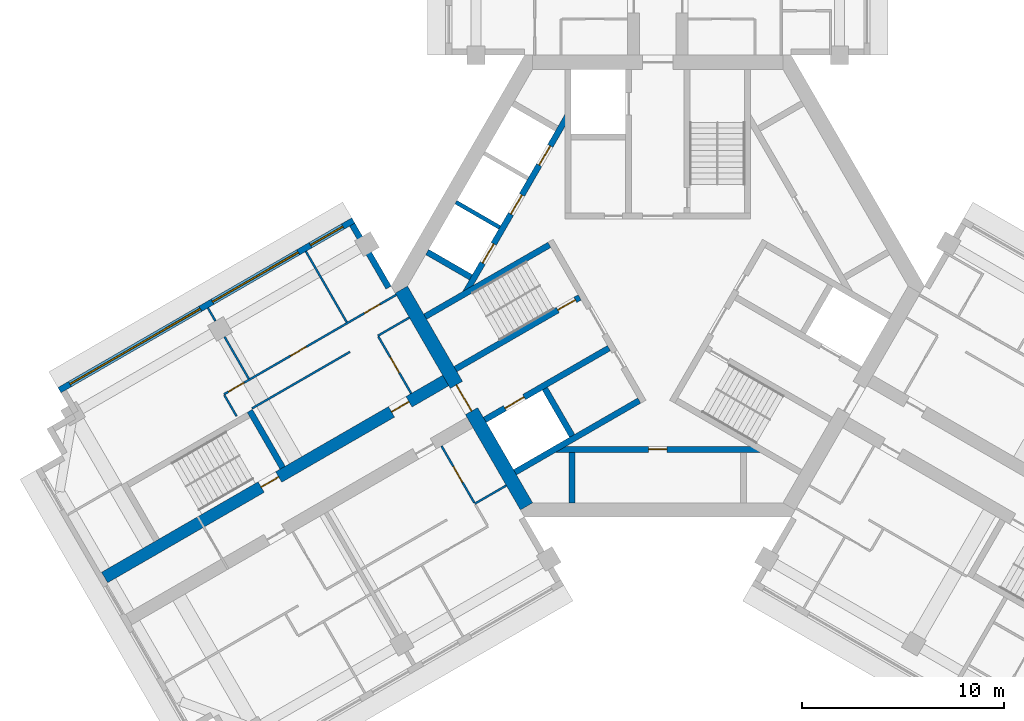
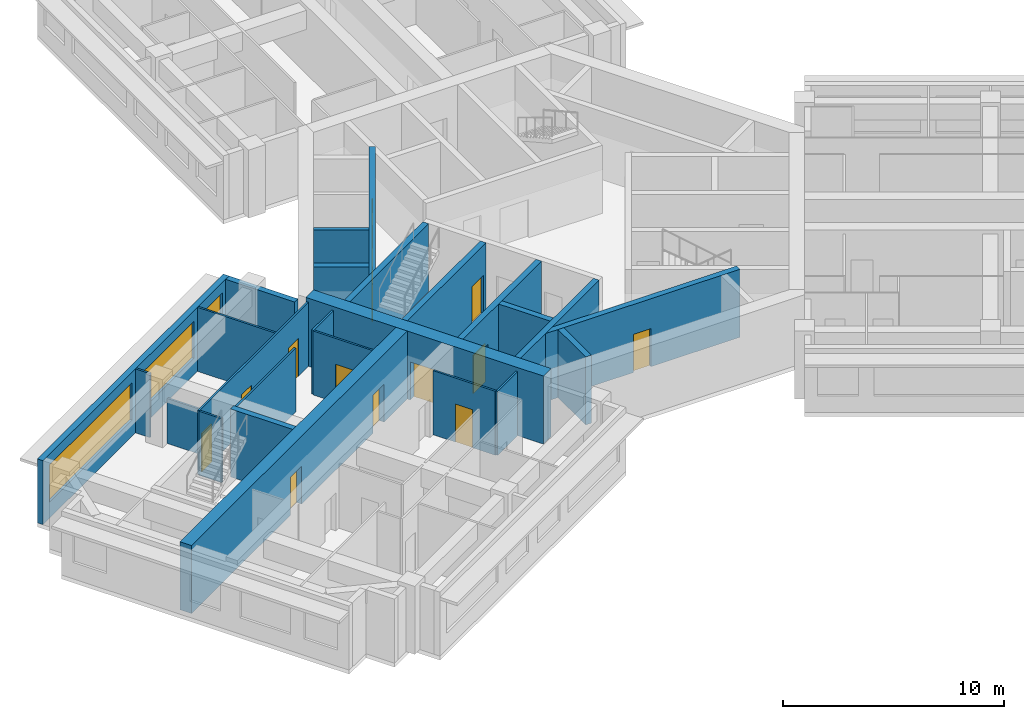
# One storey, part 3 of 10: 25 walls, 14 doors, 3 windows, 17 openings.
"""IFC4 building model written with IfcOpenShell, lengths in metres."""

from ifc_helpers import new_model, si_unit, direction, frame, frame_2d, origin, place, context, subcontext, project, spatial, rectangle, extrude, material, layer, layer_set, type_object, element, fill, save


model = new_model("IFC4")

# Units and contexts
model_context = context("Model", 3, precision=1e-05, world=origin(), true_north=direction((0.0, 1.0)))
body_context = subcontext(model_context, "Body", "Model", "MODEL_VIEW")
ifc_project = project(units=[si_unit("LENGTHUNIT", "METRE"), si_unit("AREAUNIT", "SQUARE_METRE"), si_unit("VOLUMEUNIT", "CUBIC_METRE"), si_unit("PLANEANGLEUNIT", "RADIAN"), si_unit("MASSUNIT", "GRAM", prefix="KILO")], contexts=[model_context])

# Site, building, storey
site_placement = place(None, origin())
site = spatial("IfcSite", under=ifc_project, at=site_placement, CompositionType="ELEMENT")
building_placement = place(site_placement, origin())
building = spatial("IfcBuilding", under=site, at=building_placement, Name="Impinga Residences", CompositionType="ELEMENT")
storey_placement = place(building_placement, frame((0.0, 0.0, 237.25)))
storey = spatial("IfcBuildingStorey", under=building, at=storey_placement, Name="L59", CompositionType="ELEMENT", Elevation=237.25)

# Wall, openings, doors
ifc_material_1 = material(Name="Concrete C60/75", Category="concrete")
ifc_layer_1 = layer(ifc_material_1, 0.60009765625)
ifc_layer_set_1 = layer_set([ifc_layer_1], Name="Concrete C60/75")
wall_type_1 = type_object("IfcWallType", Name="BW3 corridor buttress wall, L46 to L73 600", PredefinedType="SHEAR", material=ifc_layer_set_1)
wall_1_placement = place(storey_placement, frame((-10.19677734375, -4.50146484375, 0.0), z_axis=(0.0, 0.0, 1.0), x_axis=(-0.866025214745, -0.500000327426, 0.0)))
wall_1 = element("IfcWall", 1, at=wall_1_placement, inside=storey, type_object=wall_type_1, Name="Corridor wall BW3 WD L59", PredefinedType="SHEAR", context=body_context, shape_type="SweptSolid", body=[
    extrude(rectangle(XDim=19.85009765625, YDim=0.60009765625, at=frame_2d((9.925048828125, 0.0))), origin(), (0.0, 0.0, 1.0), 3.75),
])
opening_1_placement = place(wall_1_placement, frame((9.89990234375, 0.0, 0.0)))
opening_1 = element("IfcOpeningElement", 2, at=opening_1_placement, cuts=wall_1, Name="Opening D5", PredefinedType="OPENING", context=body_context, shape_type="SweptSolid", body=[
    extrude(rectangle(XDim=1.0, YDim=2.10009765625, at=frame_2d((0.5, 1.050048828125))), frame((0.0, 0.31005859375, 0.0), z_axis=(0.0, -1.0, 0.0), x_axis=(1.0, 0.0, 0.0)), (0.0, 0.0, 1.0), 0.6201171875),
])
opening_2_placement = place(wall_1_placement, frame((2.449951171875, 0.0, 0.0)))
opening_2 = element("IfcOpeningElement", 3, at=opening_2_placement, cuts=wall_1, Name="Opening D1", PredefinedType="OPENING", context=body_context, shape_type="SweptSolid", body=[
    extrude(rectangle(XDim=1.0, YDim=2.10009765625, at=frame_2d((0.5, 1.050048828125))), frame((0.0, 0.31005859375, 0.0), z_axis=(0.0, -1.0, 0.0), x_axis=(1.0, 0.0, 0.0)), (0.0, 0.0, 1.0), 0.6201171875),
])
ifc_material_2 = material(Name="Timber door set", Category="wood")
door_type_1 = type_object("IfcDoorType", Name="D1 apartment entrance door 1000x2100", OperationType="SINGLE_SWING_LEFT", PredefinedType="DOOR", material=ifc_material_2)
door_1_placement = place(opening_2_placement, origin())
door_1 = element("IfcDoor", 4, at=door_1_placement, inside=storey, type_object=door_type_1, Name="Apartment L59-WF1 entrance", OperationType="SINGLE_SWING_LEFT", OverallHeight=2.10009765625, OverallWidth=1.0, PredefinedType="DOOR", context=body_context, shape_type="SweptSolid", body=[
    extrude(rectangle(XDim=1.0, YDim=2.10009765625, at=frame_2d((0.5, 1.050048828125))), frame((0.0, 0.02490234375, 0.0), z_axis=(0.0, -1.0, 0.0), x_axis=(1.0, 0.0, 0.0)), (0.0, 0.0, 1.0), 0.050048828125),
])
fill(opening_2, door_1)
door_type_2 = type_object("IfcDoorType", Name="D5 stair door 1000x2100", OperationType="SINGLE_SWING_LEFT", PredefinedType="DOOR", material=ifc_material_2)
door_2_placement = place(opening_1_placement, origin())
door_2 = element("IfcDoor", 5, at=door_2_placement, inside=storey, type_object=door_type_2, Name="Wing stair door W", OperationType="SINGLE_SWING_RIGHT", OverallHeight=2.10009765625, OverallWidth=1.0, PredefinedType="DOOR", context=body_context, shape_type="SweptSolid", body=[
    extrude(rectangle(XDim=1.0, YDim=2.10009765625, at=frame_2d((0.5, 1.050048828125))), frame((0.0, 0.02490234375, 0.0), z_axis=(0.0, -1.0, 0.0), x_axis=(1.0, 0.0, 0.0)), (0.0, 0.0, 1.0), 0.050048828125),
])
fill(opening_1, door_2)

# Wall, openings, windows
ifc_material_3 = material(Name="Terracotta rainscreen on blockwork", Category="masonry")
ifc_layer_2 = layer(ifc_material_3, 0.300048828125)
ifc_layer_set_2 = layer_set([ifc_layer_2], Name="EW1 external wall, terracotta rainscreen on blockwork 300")
wall_type_2 = type_object("IfcWallType", Name="EW1 external wall, terracotta rainscreen on blockwork 300", PredefinedType="SOLIDWALL", material=ifc_layer_set_2)
wall_2_placement = place(storey_placement, frame((-29.624267578125, -5.15234375, 0.0), z_axis=(0.0, 0.0, 1.0), x_axis=(0.86602925447, 0.499993330357, 0.0)))
wall_2 = element("IfcWall", 6, at=wall_2_placement, inside=storey, type_object=wall_type_2, Name="External wall EW1 L59", PredefinedType="SOLIDWALL", context=body_context, shape_type="SweptSolid", body=[
    extrude(rectangle(XDim=16.800048828125, YDim=0.300048828125, at=frame_2d((8.39990234375, 0.0))), origin(), (0.0, 0.0, 1.0), 3.530029296875),
])
opening_3_placement = place(wall_2_placement, frame((0.60009765625, 0.0, 0.89990234375)))
opening_3 = element("IfcOpeningElement", 7, at=opening_3_placement, cuts=wall_2, Name="Opening W7", PredefinedType="OPENING", context=body_context, shape_type="SweptSolid", body=[
    extrude(rectangle(XDim=7.449951171875, YDim=2.050048828125, at=frame_2d((3.72509765625, 1.02490234375))), frame((0.0, 0.159912109375, 0.0), z_axis=(0.0, -1.0, 0.0), x_axis=(1.0, 0.0, 0.0)), (0.0, 0.0, 1.0), 0.320068359375),
])
opening_4_placement = place(wall_2_placement, frame((8.75, 0.0, 0.89990234375)))
opening_4 = element("IfcOpeningElement", 8, at=opening_4_placement, cuts=wall_2, Name="Opening W16", PredefinedType="OPENING", context=body_context, shape_type="SweptSolid", body=[
    extrude(rectangle(XDim=4.89990234375, YDim=2.050048828125, at=frame_2d((2.449951171875, 1.02490234375))), frame((0.0, 0.159912109375, 0.0), z_axis=(0.0, -1.0, 0.0), x_axis=(1.0, 0.0, 0.0)), (0.0, 0.0, 1.0), 0.320068359375),
])
opening_5_placement = place(wall_2_placement, frame((14.35009765625, 0.0, 0.89990234375)))
opening_5 = element("IfcOpeningElement", 9, at=opening_5_placement, cuts=wall_2, Name="Opening W15", PredefinedType="OPENING", context=body_context, shape_type="SweptSolid", body=[
    extrude(rectangle(XDim=1.85009765625, YDim=2.050048828125, at=frame_2d((0.925048828125, 1.02490234375))), frame((0.0, 0.159912109375, 0.0), z_axis=(0.0, -1.0, 0.0), x_axis=(1.0, 0.0, 0.0)), (0.0, 0.0, 1.0), 0.320068359375),
])
ifc_material_4 = material(Name="Aluminium window, clear double glazing", Category="aluminium")
window_type_1 = type_object("IfcWindowType", Name="W15 ribbon window 1850x2050", PartitioningType="SINGLE_PANEL", PredefinedType="WINDOW", material=ifc_material_4)
window_1_placement = place(opening_5_placement, origin())
window_1 = element("IfcWindow", 10, at=window_1_placement, inside=storey, type_object=window_type_1, Name="Window L59", OverallHeight=2.050048828125, OverallWidth=1.85009765625, PartitioningType="SINGLE_PANEL", PredefinedType="WINDOW", context=body_context, shape_type="SweptSolid", body=[
    extrude(rectangle(XDim=1.85009765625, YDim=2.050048828125, at=frame_2d((0.925048828125, 1.02490234375))), frame((0.0, 0.030029296875, 0.0), z_axis=(0.0, -1.0, 0.0), x_axis=(1.0, 0.0, 0.0)), (0.0, 0.0, 1.0), 0.06005859375),
])
fill(opening_5, window_1)
window_type_2 = type_object("IfcWindowType", Name="W16 ribbon window 4900x2050", PartitioningType="SINGLE_PANEL", PredefinedType="WINDOW", material=ifc_material_4)
window_2_placement = place(opening_4_placement, origin())
window_2 = element("IfcWindow", 11, at=window_2_placement, inside=storey, type_object=window_type_2, Name="Window L59", OverallHeight=2.050048828125, OverallWidth=4.89990234375, PartitioningType="SINGLE_PANEL", PredefinedType="WINDOW", context=body_context, shape_type="SweptSolid", body=[
    extrude(rectangle(XDim=4.89990234375, YDim=2.050048828125, at=frame_2d((2.449951171875, 1.02490234375))), frame((0.0, 0.030029296875, 0.0), z_axis=(0.0, -1.0, 0.0), x_axis=(1.0, 0.0, 0.0)), (0.0, 0.0, 1.0), 0.06005859375),
])
fill(opening_4, window_2)
window_type_3 = type_object("IfcWindowType", Name="W7 ribbon window 7450x2050", PartitioningType="SINGLE_PANEL", PredefinedType="WINDOW", material=ifc_material_4)
window_3_placement = place(opening_3_placement, origin())
window_3 = element("IfcWindow", 12, at=window_3_placement, inside=storey, type_object=window_type_3, Name="Window L59", OverallHeight=2.050048828125, OverallWidth=7.449951171875, PartitioningType="SINGLE_PANEL", PredefinedType="WINDOW", context=body_context, shape_type="SweptSolid", body=[
    extrude(rectangle(XDim=7.449951171875, YDim=2.050048828125, at=frame_2d((3.72509765625, 1.02490234375))), frame((0.0, 0.030029296875, 0.0), z_axis=(0.0, -1.0, 0.0), x_axis=(1.0, 0.0, 0.0)), (0.0, 0.0, 1.0), 0.06005859375),
])
fill(opening_3, window_3)

# Walls
wall_3_placement = place(storey_placement, frame((-15.1298828125, 3.042724609375, 0.0), z_axis=(0.0, 0.0, 1.0), x_axis=(0.500012057535, -0.866018442252, 0.0)))
element("IfcWall", 13, at=wall_3_placement, inside=storey, type_object=wall_type_2, Name="External wall EW1 L59", PredefinedType="SOLIDWALL", context=body_context, shape_type="SweptSolid", body=[
    extrude(rectangle(XDim=3.60009765625, YDim=0.300048828125, at=frame_2d((1.800048828125, 0.0))), origin(), (0.0, 0.0, 1.0), 3.530029296875),
])
ifc_material_5 = material(Name="Gypsum board on steel studs", Category="steel")
ifc_layer_3 = layer(ifc_material_5, 0.10009765625)
ifc_layer_set_3 = layer_set([ifc_layer_3], Name="Gypsum board on steel studs")
wall_type_3 = type_object("IfcWallType", Name="IP1 partition 100", PredefinedType="PARTITIONING", material=ifc_layer_set_3)
wall_4_placement = place(storey_placement, frame((-7.5, -9.872802734375, 0.0), z_axis=(0.0, 0.0, 1.0), x_axis=(-0.866047807691, -0.499961193289, 0.0)))
element("IfcWall", 14, at=wall_4_placement, inside=storey, type_object=wall_type_3, Name="Partition L59-WA1:DIV0", PredefinedType="PARTITIONING", context=body_context, shape_type="SweptSolid", body=[
    extrude(rectangle(XDim=1.800048828125, YDim=0.10009765625, at=frame_2d((0.89990234375, 0.0))), origin(), (0.0, 0.0, 1.0), 3.530029296875),
])

# Wall, opening, door
wall_5_placement = place(storey_placement, frame((-10.708740234375, -7.914794921875, 0.0), z_axis=(0.0, 0.0, 1.0), x_axis=(0.499984717929, -0.866034226713, 0.0)))
wall_5 = element("IfcWall", 15, at=wall_5_placement, inside=storey, type_object=wall_type_3, Name="Partition L59-WA1:IB1", PredefinedType="PARTITIONING", context=body_context, shape_type="SweptSolid", body=[
    extrude(rectangle(XDim=3.25, YDim=0.10009765625, at=frame_2d((1.625, 0.0))), origin(), (0.0, 0.0, 1.0), 3.530029296875),
])
opening_6_placement = place(wall_5_placement, frame((1.175048828125, 0.0, 0.0)))
opening_6 = element("IfcOpeningElement", 16, at=opening_6_placement, cuts=wall_5, Name="Opening D2", PredefinedType="OPENING", context=body_context, shape_type="SweptSolid", body=[
    extrude(rectangle(XDim=0.89990234375, YDim=2.10009765625, at=frame_2d((0.449951171875, 1.050048828125))), frame((0.0, 0.06005859375, 0.0), z_axis=(0.0, -1.0, 0.0), x_axis=(1.0, 0.0, 0.0)), (0.0, 0.0, 1.0), 0.1201171875),
])
door_type_3 = type_object("IfcDoorType", Name="D2 internal door 900x2100", OperationType="SINGLE_SWING_LEFT", PredefinedType="DOOR", material=ifc_material_2)
door_3_placement = place(opening_6_placement, origin())
door_3 = element("IfcDoor", 17, at=door_3_placement, inside=storey, type_object=door_type_3, Name="Apartment L59-WA1 bathroom door", OperationType="SINGLE_SWING_LEFT", OverallHeight=2.10009765625, OverallWidth=0.89990234375, PredefinedType="DOOR", context=body_context, shape_type="SweptSolid", body=[
    extrude(rectangle(XDim=0.89990234375, YDim=2.10009765625, at=frame_2d((0.449951171875, 1.050048828125))), frame((0.0, 0.02490234375, 0.0), z_axis=(0.0, -1.0, 0.0), x_axis=(1.0, 0.0, 0.0)), (0.0, 0.0, 1.0), 0.050048828125),
])
fill(opening_6, door_3)

# Walls
wall_6_placement = place(storey_placement, frame((-12.300048828125, -1.558837890625, 0.0), z_axis=(0.0, 0.0, 1.0), x_axis=(-0.866047807691, -0.499961193289, 0.0)))
element("IfcWall", 18, at=wall_6_placement, inside=storey, type_object=wall_type_3, Name="Partition L59-WF1:DIV0", PredefinedType="PARTITIONING", context=body_context, shape_type="SweptSolid", body=[
    extrude(rectangle(XDim=1.800048828125, YDim=0.10009765625, at=frame_2d((0.89990234375, 0.0))), origin(), (0.0, 0.0, 1.0), 3.530029296875),
])
wall_7_placement = place(storey_placement, frame((-15.244384765625, -3.2587890625, 0.0), z_axis=(0.0, 0.0, 1.0), x_axis=(-0.866026594901, -0.49999793692, 0.0)))
element("IfcWall", 19, at=wall_7_placement, inside=storey, type_object=wall_type_3, Name="Partition L59-WF1:DIV1", PredefinedType="PARTITIONING", context=body_context, shape_type="SweptSolid", body=[
    extrude(rectangle(XDim=5.60009765625, YDim=0.10009765625, at=frame_2d((2.800048828125, 0.0))), origin(), (0.0, 0.0, 1.0), 3.530029296875),
])

# Wall, openings, doors
wall_8_placement = place(storey_placement, frame((-12.949951171875, -0.43310546875, 0.0), z_axis=(0.0, 0.0, 1.0), x_axis=(-0.866038236991, -0.499977771575, 0.0)))
wall_8 = element("IfcWall", 20, at=wall_8_placement, inside=storey, type_object=wall_type_3, Name="Partition L59-WF1:STRIP", PredefinedType="PARTITIONING", context=body_context, shape_type="SweptSolid", body=[
    extrude(rectangle(XDim=9.85009765625, YDim=0.10009765625, at=frame_2d((4.925048828125, 0.0))), origin(), (0.0, 0.0, 1.0), 3.530029296875),
])
opening_7_placement = place(wall_8_placement, frame((0.925048828125, 0.0, 0.0)))
opening_7 = element("IfcOpeningElement", 21, at=opening_7_placement, cuts=wall_8, Name="Opening D2", PredefinedType="OPENING", context=body_context, shape_type="SweptSolid", body=[
    extrude(rectangle(XDim=0.89990234375, YDim=2.10009765625, at=frame_2d((0.449951171875, 1.050048828125))), frame((0.0, 0.06005859375, 0.0), z_axis=(0.0, -1.0, 0.0), x_axis=(1.0, 0.0, 0.0)), (0.0, 0.0, 1.0), 0.1201171875),
])
opening_8_placement = place(wall_8_placement, frame((5.14990234375, 0.0, 0.0)))
opening_8 = element("IfcOpeningElement", 22, at=opening_8_placement, cuts=wall_8, Name="Opening D2", PredefinedType="OPENING", context=body_context, shape_type="SweptSolid", body=[
    extrude(rectangle(XDim=0.89990234375, YDim=2.10009765625, at=frame_2d((0.449951171875, 1.050048828125))), frame((0.0, 0.06005859375, 0.0), z_axis=(0.0, -1.0, 0.0), x_axis=(1.0, 0.0, 0.0)), (0.0, 0.0, 1.0), 0.1201171875),
])
opening_9_placement = place(wall_8_placement, frame((8.699951171875, 0.0, 0.0)))
opening_9 = element("IfcOpeningElement", 23, at=opening_9_placement, cuts=wall_8, Name="Opening D2", PredefinedType="OPENING", context=body_context, shape_type="SweptSolid", body=[
    extrude(rectangle(XDim=0.89990234375, YDim=2.10009765625, at=frame_2d((0.449951171875, 1.050048828125))), frame((0.0, 0.06005859375, 0.0), z_axis=(0.0, -1.0, 0.0), x_axis=(1.0, 0.0, 0.0)), (0.0, 0.0, 1.0), 0.1201171875),
])
door_4_placement = place(opening_7_placement, origin())
door_4 = element("IfcDoor", 24, at=door_4_placement, inside=storey, type_object=door_type_3, Name="Apartment L59-WF1 room door", OperationType="SINGLE_SWING_LEFT", OverallHeight=2.10009765625, OverallWidth=0.89990234375, PredefinedType="DOOR", context=body_context, shape_type="SweptSolid", body=[
    extrude(rectangle(XDim=0.89990234375, YDim=2.10009765625, at=frame_2d((0.449951171875, 1.050048828125))), frame((0.0, 0.02490234375, 0.0), z_axis=(0.0, -1.0, 0.0), x_axis=(1.0, 0.0, 0.0)), (0.0, 0.0, 1.0), 0.050048828125),
])
fill(opening_7, door_4)
door_5_placement = place(opening_8_placement, origin())
door_5 = element("IfcDoor", 25, at=door_5_placement, inside=storey, type_object=door_type_3, Name="Apartment L59-WF1 room door", OperationType="SINGLE_SWING_RIGHT", OverallHeight=2.10009765625, OverallWidth=0.89990234375, PredefinedType="DOOR", context=body_context, shape_type="SweptSolid", body=[
    extrude(rectangle(XDim=0.89990234375, YDim=2.10009765625, at=frame_2d((0.449951171875, 1.050048828125))), frame((0.0, 0.02490234375, 0.0), z_axis=(0.0, -1.0, 0.0), x_axis=(1.0, 0.0, 0.0)), (0.0, 0.0, 1.0), 0.050048828125),
])
fill(opening_8, door_5)
door_6_placement = place(opening_9_placement, origin())
door_6 = element("IfcDoor", 26, at=door_6_placement, inside=storey, type_object=door_type_3, Name="Apartment L59-WF1 room door", OperationType="SINGLE_SWING_RIGHT", OverallHeight=2.10009765625, OverallWidth=0.89990234375, PredefinedType="DOOR", context=body_context, shape_type="SweptSolid", body=[
    extrude(rectangle(XDim=0.89990234375, YDim=2.10009765625, at=frame_2d((0.449951171875, 1.050048828125))), frame((0.0, 0.02490234375, 0.0), z_axis=(0.0, -1.0, 0.0), x_axis=(1.0, 0.0, 0.0)), (0.0, 0.0, 1.0), 0.050048828125),
])
fill(opening_9, door_6)

# Wall
wall_9_placement = place(storey_placement, frame((-20.85546875, -6.4404296875, 0.0), z_axis=(0.0, 0.0, 1.0), x_axis=(-0.499969057507, 0.866043267704, 0.0)))
element("IfcWall", 27, at=wall_9_placement, inside=storey, type_object=wall_type_3, Name="Partition L59-WF1:SE1", PredefinedType="PARTITIONING", context=body_context, shape_type="SweptSolid", body=[
    extrude(rectangle(XDim=1.19970703125, YDim=0.10009765625, at=frame_2d((0.599853515625, 0.0))), origin(), (0.0, 0.0, 1.0), 3.530029296875),
])

# Wall, opening, door
wall_10_placement = place(storey_placement, frame((-12.208740234375, -5.316650390625, 0.0), z_axis=(0.0, 0.0, 1.0), x_axis=(-0.500017246033, 0.866015446554, 0.0)))
wall_10 = element("IfcWall", 28, at=wall_10_placement, inside=storey, type_object=wall_type_3, Name="Partition L59-WF1:IB1", PredefinedType="PARTITIONING", context=body_context, shape_type="SweptSolid", body=[
    extrude(rectangle(XDim=3.25, YDim=0.10009765625, at=frame_2d((1.625, 0.0))), origin(), (0.0, 0.0, 1.0), 3.530029296875),
])
opening_10_placement = place(wall_10_placement, frame((1.175048828125, 0.0, 0.0)))
opening_10 = element("IfcOpeningElement", 29, at=opening_10_placement, cuts=wall_10, Name="Opening D2", PredefinedType="OPENING", context=body_context, shape_type="SweptSolid", body=[
    extrude(rectangle(XDim=0.89990234375, YDim=2.10009765625, at=frame_2d((0.449951171875, 1.050048828125))), frame((0.0, 0.06005859375, 0.0), z_axis=(0.0, -1.0, 0.0), x_axis=(1.0, 0.0, 0.0)), (0.0, 0.0, 1.0), 0.1201171875),
])
door_7_placement = place(opening_10_placement, origin())
door_7 = element("IfcDoor", 30, at=door_7_placement, inside=storey, type_object=door_type_3, Name="Apartment L59-WF1 bathroom door", OperationType="SINGLE_SWING_LEFT", OverallHeight=2.10009765625, OverallWidth=0.89990234375, PredefinedType="DOOR", context=body_context, shape_type="SweptSolid", body=[
    extrude(rectangle(XDim=0.89990234375, YDim=2.10009765625, at=frame_2d((0.449951171875, 1.050048828125))), frame((0.0, 0.02490234375, 0.0), z_axis=(0.0, -1.0, 0.0), x_axis=(1.0, 0.0, 0.0)), (0.0, 0.0, 1.0), 0.050048828125),
])
fill(opening_10, door_7)

# Walls
wall_11_placement = place(storey_placement, frame((-15.39990234375, -1.789794921875, 0.0), z_axis=(0.0, 0.0, 1.0), x_axis=(-0.499964223975, 0.866046058097, 0.0)))
element("IfcWall", 31, at=wall_11_placement, inside=storey, type_object=wall_type_3, Name="Partition L59-WF1:OB1", PredefinedType="PARTITIONING", context=body_context, shape_type="SweptSolid", body=[
    extrude(rectangle(XDim=4.050048828125, YDim=0.10009765625, at=frame_2d((2.02490234375, 0.0))), origin(), (0.0, 0.0, 1.0), 3.530029296875),
])
wall_12_placement = place(storey_placement, frame((-20.24951171875, -4.589599609375, 0.0), z_axis=(0.0, 0.0, 1.0), x_axis=(-0.500077600433, 0.865980596518, 0.0)))
element("IfcWall", 32, at=wall_12_placement, inside=storey, type_object=wall_type_3, Name="Partition L59-WF1:OB2", PredefinedType="PARTITIONING", context=body_context, shape_type="SweptSolid", body=[
    extrude(rectangle(XDim=2.39990234375, YDim=0.10009765625, at=frame_2d((1.199951171875, 0.0))), origin(), (0.0, 0.0, 1.0), 2.47998046875),
])
wall_13_placement = place(storey_placement, frame((-21.899658203125, -1.73193359375, 0.0), z_axis=(0.0, 0.0, 1.0), x_axis=(-0.499919672301, 0.866071776036, 0.0)))
element("IfcWall", 33, at=wall_13_placement, inside=storey, type_object=wall_type_3, Name="Partition L59-WF1:OB2b", PredefinedType="PARTITIONING", context=body_context, shape_type="SweptSolid", body=[
    extrude(rectangle(XDim=0.75, YDim=0.10009765625, at=frame_2d((0.375, 0.0))), origin(), (0.0, 0.0, 1.0), 3.530029296875),
])
ifc_layer_4 = layer(ifc_material_1, 0.300048828125)
ifc_layer_set_4 = layer_set([ifc_layer_4], Name="Concrete C60/75")
wall_type_4 = type_object("IfcWallType", Name="SE1 wing stair enclosure wall 300", PredefinedType="SOLIDWALL", material=ifc_layer_set_4)
wall_14_placement = place(storey_placement, frame((-18.57421875, -8.99169921875, 0.0), z_axis=(0.0, 0.0, 1.0), x_axis=(-0.500017246033, 0.866015446554, 0.0)))
element("IfcWall", 34, at=wall_14_placement, inside=storey, type_object=wall_type_4, Name="Stair enclosure wall SE1 W END0 L59", PredefinedType="SOLIDWALL", context=body_context, shape_type="SweptSolid", body=[
    extrude(rectangle(XDim=3.25, YDim=0.300048828125, at=frame_2d((1.625, 0.0))), origin(), (0.0, 0.0, 1.0), 3.75),
])

# Wall, opening, door
ifc_layer_5 = layer(ifc_material_1, 0.699951171875)
ifc_layer_set_5 = layer_set([ifc_layer_5], Name="Concrete C60/75")
wall_type_5 = type_object("IfcWallType", Name="SW3 core wall 700", PredefinedType="SHEAR", material=ifc_layer_set_5)
wall_15_placement = place(storey_placement, frame((-6.4990234375, -10.906494140625, 0.0), z_axis=(0.0, 0.0, 1.0), x_axis=(-0.499999875397, 0.866025475724, 0.0)))
wall_15 = element("IfcWall", 35, at=wall_15_placement, inside=storey, type_object=wall_type_5, Name="Core wall SW3 W:FACE L59", PredefinedType="SHEAR", context=body_context, shape_type="SweptSolid", body=[
    extrude(rectangle(XDim=12.3916015625, YDim=0.699951171875, at=frame_2d((6.19580078125, 0.0))), origin(), (0.0, 0.0, 1.0), 3.75),
])
opening_11_placement = place(wall_15_placement, frame((5.44580078125, 0.0, 0.0)))
opening_11 = element("IfcOpeningElement", 36, at=opening_11_placement, cuts=wall_15, Name="Opening D4", PredefinedType="OPENING", context=body_context, shape_type="SweptSolid", body=[
    extrude(rectangle(XDim=1.5, YDim=2.10009765625, at=frame_2d((0.75, 1.050048828125))), frame((0.0, 0.35986328125, 0.0), z_axis=(0.0, -1.0, 0.0), x_axis=(1.0, 0.0, 0.0)), (0.0, 0.0, 1.0), 0.719970703125),
])
door_type_4 = type_object("IfcDoorType", Name="D4 lobby door pair 1500x2100", OperationType="DOUBLE_DOOR_DOUBLE_SWING", PredefinedType="DOOR", material=ifc_material_2)
door_8_placement = place(opening_11_placement, origin())
door_8 = element("IfcDoor", 37, at=door_8_placement, inside=storey, type_object=door_type_4, Name="Lobby door W", OperationType="DOUBLE_DOOR_DOUBLE_SWING", OverallHeight=2.10009765625, OverallWidth=1.5, PredefinedType="DOOR", context=body_context, shape_type="SweptSolid", body=[
    extrude(rectangle(XDim=1.5, YDim=2.10009765625, at=frame_2d((0.75, 1.050048828125))), frame((0.0, 0.02490234375, 0.0), z_axis=(0.0, -1.0, 0.0), x_axis=(1.0, 0.0, 0.0)), (0.0, 0.0, 1.0), 0.050048828125),
])
fill(opening_11, door_8)

ifc_material_6 = material(Name="Concrete C70/85", Category="concrete")
ifc_layer_6 = layer(ifc_material_6, 0.300048828125)
ifc_layer_set_6 = layer_set([ifc_layer_6], Name="Concrete C70/85")
wall_type_6 = type_object("IfcWallType", Name="SW5 core inner wall, stairs, shafts and lobbies 300", PredefinedType="SHEAR", material=ifc_layer_set_6)
wall_16_placement = place(storey_placement, frame((-3.86865234375, -0.559326171875, 0.0), z_axis=(0.0, 0.0, 1.0), x_axis=(-0.866025859768, -0.499999210213, 0.0)))
wall_16 = element("IfcWall", 38, at=wall_16_placement, inside=storey, type_object=wall_type_6, Name="Core wall SW5 W:ST-IN L59", PredefinedType="SHEAR", context=body_context, shape_type="SweptSolid", body=[
    extrude(rectangle(XDim=7.1015625, YDim=0.300048828125, at=frame_2d((3.55078125, 0.0))), origin(), (0.0, 0.0, 1.0), 3.75),
])
opening_12_placement = place(wall_16_placement, frame((0.25, 0.0, 0.0)))
opening_12 = element("IfcOpeningElement", 39, at=opening_12_placement, cuts=wall_16, Name="Opening D5", PredefinedType="OPENING", context=body_context, shape_type="SweptSolid", body=[
    extrude(rectangle(XDim=1.0, YDim=2.10009765625, at=frame_2d((0.5, 1.050048828125))), frame((0.0, 0.159912109375, 0.0), z_axis=(0.0, -1.0, 0.0), x_axis=(1.0, 0.0, 0.0)), (0.0, 0.0, 1.0), 0.320068359375),
])
door_9_placement = place(opening_12_placement, origin())
door_9 = element("IfcDoor", 40, at=door_9_placement, inside=storey, type_object=door_type_2, Name="Stair door W", OperationType="SINGLE_SWING_LEFT", OverallHeight=2.10009765625, OverallWidth=1.0, PredefinedType="DOOR", context=body_context, shape_type="SweptSolid", body=[
    extrude(rectangle(XDim=1.0, YDim=2.10009765625, at=frame_2d((0.5, 1.050048828125))), frame((0.0, 0.02490234375, 0.0), z_axis=(0.0, -1.0, 0.0), x_axis=(1.0, 0.0, 0.0)), (0.0, 0.0, 1.0), 0.050048828125),
])
fill(opening_12, door_9)

# Wall
wall_17_placement = place(storey_placement, frame((-5.36865234375, 2.038818359375, 0.0), z_axis=(0.0, 0.0, 1.0), x_axis=(-0.866025859768, -0.499999210213, 0.0)))
element("IfcWall", 41, at=wall_17_placement, inside=storey, type_object=wall_type_6, Name="Core wall SW5 W:ST-OUT L59", PredefinedType="SHEAR", context=body_context, shape_type="SweptSolid", body=[
    extrude(rectangle(XDim=7.1015625, YDim=0.300048828125, at=frame_2d((3.55078125, 0.0))), origin(), (0.0, 0.0, 1.0), 3.75),
])

# Wall, opening, door
wall_18_placement = place(storey_placement, frame((-2.418701171875, -3.07080078125, 0.0), z_axis=(0.0, 0.0, 1.0), x_axis=(-0.866025859768, -0.499999210213, 0.0)))
wall_18 = element("IfcWall", 42, at=wall_18_placement, inside=storey, type_object=wall_type_6, Name="Core wall SW5 W:FF-IN L59", PredefinedType="SHEAR", context=body_context, shape_type="SweptSolid", body=[
    extrude(rectangle(XDim=7.1015625, YDim=0.300048828125, at=frame_2d((3.55078125, 0.0))), origin(), (0.0, 0.0, 1.0), 3.75),
])
opening_13_placement = place(wall_18_placement, frame((4.85009765625, 0.0, 0.0)))
opening_13 = element("IfcOpeningElement", 43, at=opening_13_placement, cuts=wall_18, Name="Opening LD2", PredefinedType="OPENING", context=body_context, shape_type="SweptSolid", body=[
    extrude(rectangle(XDim=1.10009765625, YDim=2.10009765625, at=frame_2d((0.550048828125, 1.050048828125))), frame((0.0, 0.159912109375, 0.0), z_axis=(0.0, -1.0, 0.0), x_axis=(1.0, 0.0, 0.0)), (0.0, 0.0, 1.0), 0.320068359375),
])
ifc_material_7 = material(Name="Steel lift landing door", Category="steel")
door_type_5 = type_object("IfcDoorType", Name="LD2 firefighting lift landing door 1100x2100", OperationType="DOUBLE_DOOR_SLIDING", PredefinedType="DOOR", material=ifc_material_7)
door_10_placement = place(opening_13_placement, origin())
door_10 = element("IfcDoor", 44, at=door_10_placement, inside=storey, type_object=door_type_5, Name="Firefighting lift landing door F2", OperationType="DOUBLE_DOOR_SLIDING", OverallHeight=2.10009765625, OverallWidth=1.10009765625, PredefinedType="DOOR", context=body_context, shape_type="SweptSolid", body=[
    extrude(rectangle(XDim=1.10009765625, YDim=2.10009765625, at=frame_2d((0.550048828125, 1.050048828125))), frame((0.0, 0.02490234375, 0.0), z_axis=(0.0, -1.0, 0.0), x_axis=(1.0, 0.0, 0.0)), (0.0, 0.0, 1.0), 0.050048828125),
])
fill(opening_13, door_10)

# Walls
wall_19_placement = place(storey_placement, frame((-0.918701171875, -5.668701171875, 0.0), z_axis=(0.0, 0.0, 1.0), x_axis=(-0.866025859768, -0.499999210213, 0.0)))
element("IfcWall", 45, at=wall_19_placement, inside=storey, type_object=wall_type_6, Name="Core wall SW5 W:FF-OUT L59", PredefinedType="SHEAR", context=body_context, shape_type="SweptSolid", body=[
    extrude(rectangle(XDim=7.1015625, YDim=0.300048828125, at=frame_2d((3.55078125, 0.0))), origin(), (0.0, 0.0, 1.0), 3.75),
])
wall_20_placement = place(storey_placement, frame((-4.2412109375, -7.413818359375, 0.0), z_axis=(0.0, 0.0, 1.0), x_axis=(-0.500048589285, 0.86599734893, 0.0)))
element("IfcWall", 46, at=wall_20_placement, inside=storey, type_object=wall_type_6, Name="Core wall SW5 W:FF-RS L59", PredefinedType="SHEAR", context=body_context, shape_type="SweptSolid", body=[
    extrude(rectangle(XDim=2.699951171875, YDim=0.300048828125, at=frame_2d((1.35009765625, 0.0))), origin(), (0.0, 0.0, 1.0), 3.75),
])

# Wall, opening, door
wall_21_placement = place(storey_placement, frame((5.09765625, -8.08154296875, 0.0), z_axis=(0.0, 0.0, 1.0), x_axis=(-1.0, 0.0, 0.0)))
wall_21 = element("IfcWall", 47, at=wall_21_placement, inside=storey, type_object=wall_type_6, Name="Core wall SW5 N:BANK-FRONT L59", PredefinedType="SHEAR", context=body_context, shape_type="SweptSolid", body=[
    extrude(rectangle(XDim=10.1953125, YDim=0.300048828125, at=frame_2d((5.09765625, 0.0))), origin(), (0.0, 0.0, 1.0), 3.75),
])
opening_14_placement = place(wall_21_placement, frame((4.647705078125, 0.0, 0.0)))
opening_14 = element("IfcOpeningElement", 48, at=opening_14_placement, cuts=wall_21, Name="Opening D6", PredefinedType="OPENING", context=body_context, shape_type="SweptSolid", body=[
    extrude(rectangle(XDim=0.89990234375, YDim=2.10009765625, at=frame_2d((0.449951171875, 1.050048828125))), frame((0.0, 0.159912109375, 0.0), z_axis=(0.0, -1.0, 0.0), x_axis=(1.0, 0.0, 0.0)), (0.0, 0.0, 1.0), 0.320068359375),
])
door_type_6 = type_object("IfcDoorType", Name="D6 riser and store door 900x2100", OperationType="SINGLE_SWING_LEFT", PredefinedType="DOOR", material=ifc_material_2)
door_11_placement = place(opening_14_placement, origin())
door_11 = element("IfcDoor", 49, at=door_11_placement, inside=storey, type_object=door_type_6, Name="Residents' parcel room door", OperationType="SINGLE_SWING_LEFT", OverallHeight=2.10009765625, OverallWidth=0.89990234375, PredefinedType="DOOR", context=body_context, shape_type="SweptSolid", body=[
    extrude(rectangle(XDim=0.89990234375, YDim=2.10009765625, at=frame_2d((0.449951171875, 1.050048828125))), frame((0.0, 0.02490234375, 0.0), z_axis=(0.0, -1.0, 0.0), x_axis=(1.0, 0.0, 0.0)), (0.0, 0.0, 1.0), 0.050048828125),
])
fill(opening_14, door_11)

# Wall
wall_22_placement = place(storey_placement, frame((-4.25, -8.2314453125, 0.0), z_axis=(0.0, 0.0, 1.0), x_axis=(0.0, -1.0, 0.0)))
element("IfcWall", 50, at=wall_22_placement, inside=storey, type_object=wall_type_6, Name="Core wall SW5 N:BANK-R L59", PredefinedType="SHEAR", context=body_context, shape_type="SweptSolid", body=[
    extrude(rectangle(XDim=2.5, YDim=0.300048828125, at=frame_2d((1.25, 0.0))), origin(), (0.0, 0.0, 1.0), 3.75),
])

# Wall, openings, doors
wall_23_placement = place(storey_placement, frame((-9.547607421875, -0.3740234375, 0.0), z_axis=(0.0, 0.0, 1.0), x_axis=(0.500002290144, 0.866024081565, 0.0)))
wall_23 = element("IfcWall", 51, at=wall_23_placement, inside=storey, type_object=wall_type_6, Name="Core wall SW5 E:BANK-FRONT L59", PredefinedType="SHEAR", context=body_context, shape_type="SweptSolid", body=[
    extrude(rectangle(XDim=10.1953125, YDim=0.300048828125, at=frame_2d((5.09765625, 0.0))), origin(), (0.0, 0.0, 1.0), 3.75),
])
opening_15_placement = place(wall_23_placement, frame((1.74755859375, 0.0, 0.0)))
opening_15 = element("IfcOpeningElement", 52, at=opening_15_placement, cuts=wall_23, Name="Opening LD1", PredefinedType="OPENING", context=body_context, shape_type="SweptSolid", body=[
    extrude(rectangle(XDim=1.10009765625, YDim=2.10009765625, at=frame_2d((0.550048828125, 1.050048828125))), frame((0.0, 0.159912109375, 0.0), z_axis=(0.0, -1.0, 0.0), x_axis=(1.0, 0.0, 0.0)), (0.0, 0.0, 1.0), 0.320068359375),
])
opening_16_placement = place(wall_23_placement, frame((4.547607421875, 0.0, 0.0)))
opening_16 = element("IfcOpeningElement", 53, at=opening_16_placement, cuts=wall_23, Name="Opening LD1", PredefinedType="OPENING", context=body_context, shape_type="SweptSolid", body=[
    extrude(rectangle(XDim=1.10009765625, YDim=2.10009765625, at=frame_2d((0.550048828125, 1.050048828125))), frame((0.0, 0.159912109375, 0.0), z_axis=(0.0, -1.0, 0.0), x_axis=(1.0, 0.0, 0.0)), (0.0, 0.0, 1.0), 0.320068359375),
])
opening_17_placement = place(wall_23_placement, frame((7.34765625, 0.0, 0.0)))
opening_17 = element("IfcOpeningElement", 54, at=opening_17_placement, cuts=wall_23, Name="Opening LD1", PredefinedType="OPENING", context=body_context, shape_type="SweptSolid", body=[
    extrude(rectangle(XDim=1.10009765625, YDim=2.10009765625, at=frame_2d((0.550048828125, 1.050048828125))), frame((0.0, 0.159912109375, 0.0), z_axis=(0.0, -1.0, 0.0), x_axis=(1.0, 0.0, 0.0)), (0.0, 0.0, 1.0), 0.320068359375),
])
door_type_7 = type_object("IfcDoorType", Name="LD1 passenger lift landing door 1100x2100", OperationType="DOUBLE_DOOR_SLIDING", PredefinedType="DOOR", material=ifc_material_7)
door_12_placement = place(opening_15_placement, origin())
door_12 = element("IfcDoor", 55, at=door_12_placement, inside=storey, type_object=door_type_7, Name="Lift landing door P7", OperationType="DOUBLE_DOOR_SLIDING", OverallHeight=2.10009765625, OverallWidth=1.10009765625, PredefinedType="DOOR", context=body_context, shape_type="SweptSolid", body=[
    extrude(rectangle(XDim=1.10009765625, YDim=2.10009765625, at=frame_2d((0.550048828125, 1.050048828125))), frame((0.0, 0.02490234375, 0.0), z_axis=(0.0, -1.0, 0.0), x_axis=(1.0, 0.0, 0.0)), (0.0, 0.0, 1.0), 0.050048828125),
])
fill(opening_15, door_12)
door_13_placement = place(opening_16_placement, origin())
door_13 = element("IfcDoor", 56, at=door_13_placement, inside=storey, type_object=door_type_7, Name="Lift landing door P8", OperationType="DOUBLE_DOOR_SLIDING", OverallHeight=2.10009765625, OverallWidth=1.10009765625, PredefinedType="DOOR", context=body_context, shape_type="SweptSolid", body=[
    extrude(rectangle(XDim=1.10009765625, YDim=2.10009765625, at=frame_2d((0.550048828125, 1.050048828125))), frame((0.0, 0.02490234375, 0.0), z_axis=(0.0, -1.0, 0.0), x_axis=(1.0, 0.0, 0.0)), (0.0, 0.0, 1.0), 0.050048828125),
])
fill(opening_16, door_13)
door_14_placement = place(opening_17_placement, origin())
door_14 = element("IfcDoor", 57, at=door_14_placement, inside=storey, type_object=door_type_7, Name="Lift landing door P9", OperationType="DOUBLE_DOOR_SLIDING", OverallHeight=2.10009765625, OverallWidth=1.10009765625, PredefinedType="DOOR", context=body_context, shape_type="SweptSolid", body=[
    extrude(rectangle(XDim=1.10009765625, YDim=2.10009765625, at=frame_2d((0.550048828125, 1.050048828125))), frame((0.0, 0.02490234375, 0.0), z_axis=(0.0, -1.0, 0.0), x_axis=(1.0, 0.0, 0.0)), (0.0, 0.0, 1.0), 0.050048828125),
])
fill(opening_17, door_14)

# Walls
wall_24_placement = place(storey_placement, frame((-9.253662109375, 0.43505859375, 0.0), z_axis=(0.0, 0.0, 1.0), x_axis=(-0.866022959057, 0.500004234368, 0.0)))
element("IfcWall", 58, at=wall_24_placement, inside=storey, type_object=wall_type_6, Name="Core wall SW5 E:BANK-L L59", PredefinedType="SHEAR", context=body_context, shape_type="SweptSolid", body=[
    extrude(rectangle(XDim=2.5, YDim=0.300048828125, at=frame_2d((1.25, 0.0))), origin(), (0.0, 0.0, 1.0), 3.75),
])
ifc_layer_7 = layer(ifc_material_6, 0.199951171875)
ifc_layer_set_7 = layer_set([ifc_layer_7], Name="Concrete C70/85")
wall_type_7 = type_object("IfcWallType", Name="SW6 lift shaft divider wall 200", PredefinedType="SHEAR", material=ifc_layer_set_7)
wall_25_placement = place(storey_placement, frame((-7.82861328125, 2.9033203125, 0.0), z_axis=(0.0, 0.0, 1.0), x_axis=(-0.866047370643, 0.499961950354, 0.0)))
element("IfcWall", 59, at=wall_25_placement, inside=storey, type_object=wall_type_7, Name="Core wall SW6 E:BANK-D1 L59", PredefinedType="SHEAR", context=body_context, shape_type="SweptSolid", body=[
    extrude(rectangle(XDim=2.500244140625, YDim=0.199951171875, at=frame_2d((1.25, 0.0))), origin(), (0.0, 0.0, 1.0), 3.75),
])

save(model, "model.ifc")
